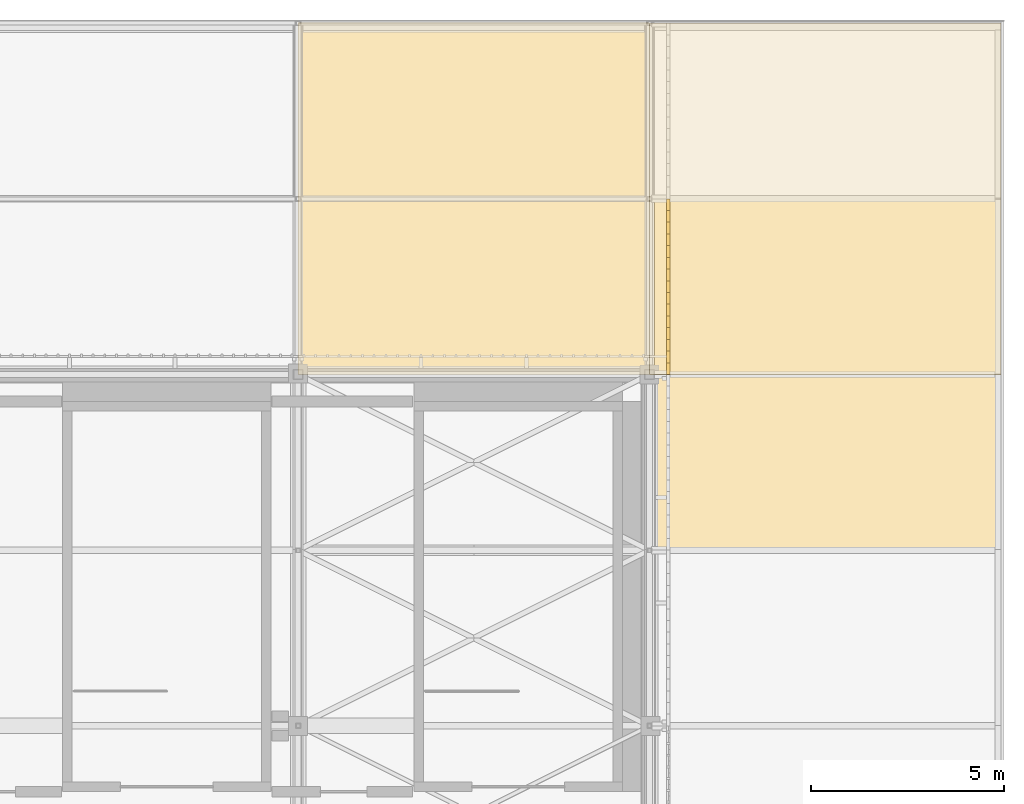
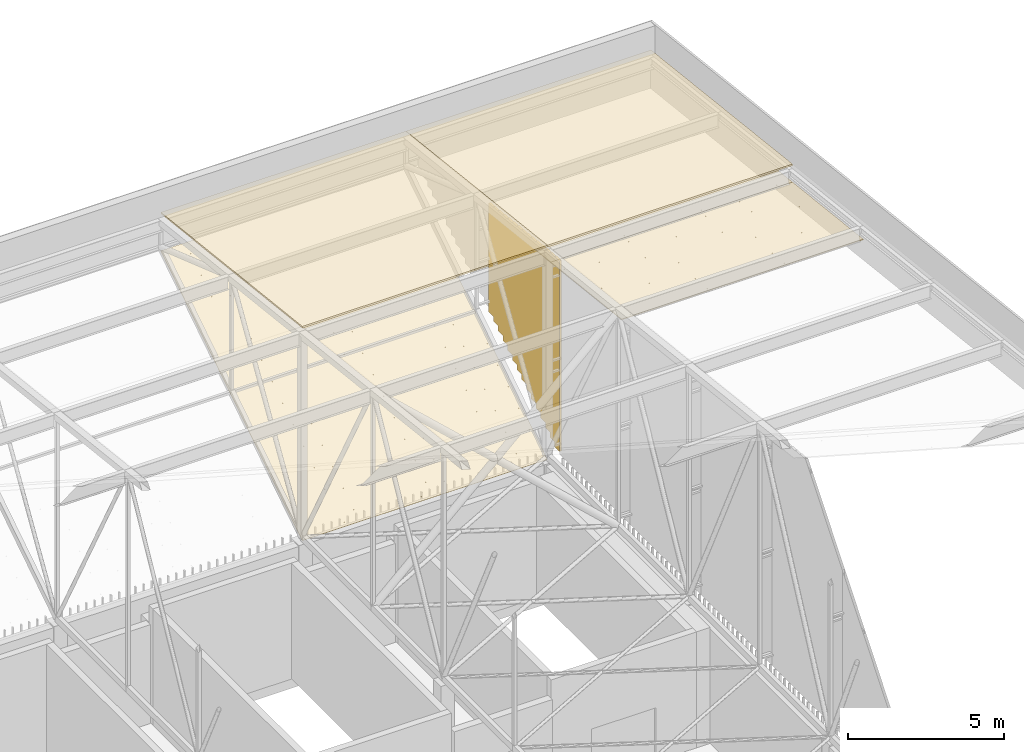
# One storey, part 499 of 500: 5 coverings, 1 shading device.
"""IFC4 building model written with IfcOpenShell, lengths in metres."""

import ifcopenshell
import ifcopenshell.guid

model = None  # the IFC model being written
_history = None  # IfcOwnerHistory: only IFC2X3 demands one
_inside = {}  # id of a spatial element -> (the spatial element, [elements in it])
_under = {}  # id of a project, library or spatial element -> (it, [spatial elements below it])
_declared = {}  # id of a project -> (the project, [libraries it declares])
_typed = {}  # id of a type object -> (the type object, [elements of that type])
_made_of = {}  # id of a material, layer set ... -> (it, [elements and type objects made of it])


def new_model(schema):
    """Start an empty IFC model of exactly this schema.

    Asked for "IFC4X3", IfcOpenShell would pick the latest addendum, in which some entities
    have other attributes; the version numbers below select the first issue.
    IFC2X3 requires an IfcOwnerHistory on every rooted entity: one is made here for all.
    """
    global model, _history
    if schema == "IFC4X3":
        model = ifcopenshell.file(schema_version=(4, 3, 0, 0))
    else:
        model = ifcopenshell.file(schema=schema)
    _inside.clear()
    _under.clear()
    _declared.clear()
    _typed.clear()
    _made_of.clear()
    _history = None
    if model.schema == "IFC2X3":
        org = make("IfcOrganization", Name="unknown")
        user = make(
            "IfcPersonAndOrganization",
            ThePerson=make("IfcPerson", FamilyName="unknown"),
            TheOrganization=org,
        )
        app = make(
            "IfcApplication",
            ApplicationDeveloper=org,
            Version="unknown",
            ApplicationFullName="unknown",
            ApplicationIdentifier="unknown",
        )
        _history = make(
            "IfcOwnerHistory",
            OwningUser=user,
            OwningApplication=app,
            ChangeAction="ADDED",
            CreationDate=0,
        )
    return model


def make(cls, **values):
    """One entity of the class cls with the attributes given. An attribute that is None is left unset."""
    return model.create_entity(
        cls, **{name: value for name, value in values.items() if value is not None}
    )


def rooted(cls, **values):
    """An entity with a GlobalId (a new one), such as an element, a storey or a relation."""
    return make(cls, GlobalId=ifcopenshell.guid.new(), OwnerHistory=_history, **values)


def si_unit(unit_type, name, prefix=None):
    """IfcSIUnit, for example si_unit("LENGTHUNIT", "METRE", prefix="MILLI")."""
    return make("IfcSIUnit", UnitType=unit_type, Prefix=prefix, Name=name)


def assignment(units):
    """IfcUnitAssignment: the units of a project."""
    return None if units is None else make("IfcUnitAssignment", Units=units)


def point(xyz):
    """IfcCartesianPoint."""
    return None if xyz is None else make("IfcCartesianPoint", Coordinates=xyz)


def direction(xyz):
    """IfcDirection."""
    return None if xyz is None else make("IfcDirection", DirectionRatios=xyz)


def frame(location, z_axis=None, x_axis=None):
    """IfcAxis2Placement3D, a coordinate frame: its origin and axes. An axis left out is left unset."""
    return make(
        "IfcAxis2Placement3D",
        Location=point(location),
        Axis=direction(z_axis),
        RefDirection=direction(x_axis),
    )


def frame_2d(location, x_axis=None):
    """IfcAxis2Placement2D, a coordinate frame in the plane: its origin and x axis."""
    return make(
        "IfcAxis2Placement2D", Location=point(location), RefDirection=direction(x_axis)
    )


def origin():
    """The frame at (0, 0, 0) with its axes left unset."""
    return frame((0.0, 0.0, 0.0))


def origin_2d():
    """The frame at (0, 0) in the plane with its x axis left unset."""
    return frame_2d((0.0, 0.0))


def place(relative_to, where):
    """IfcLocalPlacement: puts the frame where relative to a parent placement (None: the world)."""
    return make(
        "IfcLocalPlacement", PlacementRelTo=relative_to, RelativePlacement=where
    )


def context(
    kind, dimensions, precision=None, world=None, true_north=None, identifier=None
):
    """IfcGeometricRepresentationContext, for example the 3D "Model" context."""
    return make(
        "IfcGeometricRepresentationContext",
        ContextIdentifier=identifier,
        ContextType=kind,
        CoordinateSpaceDimension=dimensions,
        Precision=precision,
        WorldCoordinateSystem=world,
        TrueNorth=true_north,
    )


def subcontext(parent, identifier, kind, view, scale=None):
    """IfcGeometricRepresentationSubContext, for example "Body" below "Model"."""
    return make(
        "IfcGeometricRepresentationSubContext",
        ContextIdentifier=identifier,
        ContextType=kind,
        ParentContext=parent,
        TargetScale=scale,
        TargetView=view,
    )


def project(units=None, contexts=None):
    """IfcProject with its units and contexts."""
    return rooted(
        "IfcProject",
        Name="project",
        RepresentationContexts=contexts,
        UnitsInContext=assignment(units),
    )


def spatial(cls, under=None, at=None, **own):
    """A site, building, storey or space (cls), placed at a placement, below another one or the project."""
    s = rooted(cls, ObjectPlacement=at, **own)
    if under is not None:
        _under.setdefault(under.id(), (under, []))[1].append(s)
    return s


def polyline(points):
    """IfcPolyline through the points."""
    return make("IfcPolyline", Points=[point(p) for p in points])


def profile(cls, at=None, kind="AREA", **sizes):
    """A parametric profile (cls). Its sizes go by their IFC names, for example OverallWidth=200.0."""
    return make(cls, ProfileType=kind, Position=at, **sizes)


def rectangle(**sizes):
    """IfcRectangleProfileDef."""
    return profile("IfcRectangleProfileDef", **sizes)


def outline(outer, holes=None, kind="AREA"):
    """IfcArbitraryClosedProfileDef: a profile drawn as a closed curve; with holes, ...WithVoids."""
    if holes is None:
        return make("IfcArbitraryClosedProfileDef", ProfileType=kind, OuterCurve=outer)
    return make(
        "IfcArbitraryProfileDefWithVoids",
        ProfileType=kind,
        OuterCurve=outer,
        InnerCurves=holes,
    )


def extrude(swept, where, along, depth):
    """IfcExtrudedAreaSolid: the profile swept, set in the frame where, extruded along a direction by depth."""
    return make(
        "IfcExtrudedAreaSolid",
        SweptArea=swept,
        Position=where,
        ExtrudedDirection=direction(along),
        Depth=depth,
    )


def shape(context_of_items, identifier, shape_type, items):
    """IfcShapeRepresentation: the items that make up one representation, for example the "Body"."""
    return make(
        "IfcShapeRepresentation",
        ContextOfItems=context_of_items,
        RepresentationIdentifier=identifier,
        RepresentationType=shape_type,
        Items=items,
    )


def material(Name=None, Category=None):
    """IfcMaterial."""
    return make("IfcMaterial", Name=Name, Category=Category)


def layer(
    of_material, thickness, ventilated=None, Name=None, Category=None, Priority=None
):
    """IfcMaterialLayer: one layer of a wall or slab, of a material (None: an air gap)."""
    return make(
        "IfcMaterialLayer",
        Material=of_material,
        LayerThickness=thickness,
        IsVentilated=ventilated,
        Name=Name,
        Category=Category,
        Priority=Priority,
    )


def layer_set(layers, Name=None):
    """IfcMaterialLayerSet."""
    return make("IfcMaterialLayerSet", MaterialLayers=layers, LayerSetName=Name)


def made_of(thing, what):
    """Note that an element or type object is made of a material, layer set ...; save() writes the relation."""
    if what is not None:
        _made_of.setdefault(what.id(), (what, []))[1].append(thing)
    return thing


def type_object(cls, material=None, **own):
    """A type object (cls), such as IfcWallType, which elements share."""
    return made_of(rooted(cls, **own), material)


def element(
    cls,
    number,
    at=None,
    inside=None,
    cuts=None,
    type_object=None,
    material=None,
    context=None,
    identifier="Body",
    shape_type=None,
    held_by="IfcProductDefinitionShape",
    body=None,
    shapes=None,
    **own,
):
    """One element of the class cls, such as IfcWall. Its Tag is "e" and its number.

    at: its placement. inside: the storey or other place that contains it. cuts: it is an
    opening in that element (IfcRelVoidsElement). A single representation is given by context,
    identifier, shape_type and body (its items); several are given by shapes. held_by: the class
    of the entity that holds the representations. save() writes the other relations.
    """
    e = rooted(cls, Tag="e%d" % number, ObjectPlacement=at, **own)
    if body is not None:
        shapes = [shape(context, identifier, shape_type, body)]
    if shapes is not None:
        e.Representation = make(held_by, Representations=shapes)
    if inside is not None:
        _inside.setdefault(inside.id(), (inside, []))[1].append(e)
    if cuts is not None:
        rooted(
            "IfcRelVoidsElement", RelatingBuildingElement=cuts, RelatedOpeningElement=e
        )
    if type_object is not None:
        _typed.setdefault(type_object.id(), (type_object, []))[1].append(e)
    return made_of(e, material)


def aggregate(whole, parts):
    """IfcRelAggregates: a whole, such as a stair, and the parts it consists of."""
    return rooted("IfcRelAggregates", RelatingObject=whole, RelatedObjects=parts)


def save(model, path):
    """Write the relations noted so far, then the file.

    IfcRelAggregates (storeys below a building ...), IfcRelContainedInSpatialStructure (elements
    in a storey), IfcRelDefinesByType, IfcRelAssociatesMaterial and IfcRelDeclares: one each for
    every whole, place, type object, material and project.
    """
    for whole, parts in _under.values():
        aggregate(whole, parts)
    for where, things in _inside.values():
        rooted(
            "IfcRelContainedInSpatialStructure",
            RelatedElements=things,
            RelatingStructure=where,
        )
    for kind, things in _typed.values():
        rooted("IfcRelDefinesByType", RelatedObjects=things, RelatingType=kind)
    for what, things in _made_of.values():
        rooted("IfcRelAssociatesMaterial", RelatedObjects=things, RelatingMaterial=what)
    for by, libraries in _declared.values():
        rooted("IfcRelDeclares", RelatingContext=by, RelatedDefinitions=libraries)
    model.write(path)


model = new_model("IFC4")

# Units and contexts
model_context = context("Model", 3, precision=1e-05, world=origin(), true_north=direction((0.0, 1.0)))
body_context = subcontext(model_context, "Body", "Model", "MODEL_VIEW")
ifc_project = project(units=[si_unit("LENGTHUNIT", "METRE"), si_unit("AREAUNIT", "SQUARE_METRE"), si_unit("VOLUMEUNIT", "CUBIC_METRE"), si_unit("PLANEANGLEUNIT", "RADIAN"), si_unit("MASSUNIT", "GRAM", prefix="KILO")], contexts=[model_context])

# Site, building, storey
site_placement = place(None, origin())
site = spatial("IfcSite", under=ifc_project, at=site_placement, CompositionType="ELEMENT")
building_placement = place(site_placement, origin())
building = spatial("IfcBuilding", under=site, at=building_placement, Name="Shirokan Park Arena", CompositionType="ELEMENT")
storey_placement = place(building_placement, frame((0.0, 0.0, 29.1201171875)))
storey = spatial("IfcBuildingStorey", under=building, at=storey_placement, Name="L06", CompositionType="ELEMENT", Elevation=29.1201171875)

# Coverings
ifc_material_1 = material(Name="Bituminous roofing membrane")
ifc_layer_1 = layer(ifc_material_1, 0.010009765625, Name="Bituminous roofing membrane")
ifc_material_2 = material(Name="Mineral wool insulation")
ifc_layer_2 = layer(ifc_material_2, 0.050048828125, Name="Mineral wool insulation")
ifc_layer_set_1 = layer_set([ifc_layer_1, ifc_layer_2], Name="Bituminous roofing membrane + Mineral wool insulation")
covering_type_1 = type_object("IfcCoveringType", Name="Roofing membrane 60", PredefinedType="ROOFING", material=ifc_layer_set_1)
covering_1_placement = place(storey_placement, frame((136.5, 109.199951171875, 12.9306640625), z_axis=(0.0, 0.113549598152, 0.993532328996), x_axis=(1.0, 0.0, 0.0)))
element("IfcCovering", 1, at=covering_1_placement, inside=storey, type_object=covering_type_1, Name="Roofing", PredefinedType="ROOFING", context=body_context, shape_type="SweptSolid", body=[
    extrude(outline(polyline([(0.0, 0.0), (9.10009765625, 0.0), (9.10009765625, 9.15933723611117), (0.0, 9.15933723611117), (0.0, 0.0)])), origin(), (0.0, 0.0, -1.0), 0.06005859375),
])
covering_2_placement = place(storey_placement, frame((145.60009765625, 109.199951171875, 12.9306640625), z_axis=(0.0, 0.113549598152, 0.993532328996), x_axis=(1.0, 0.0, 0.0)))
element("IfcCovering", 2, at=covering_2_placement, inside=storey, type_object=covering_type_1, Name="Roofing", PredefinedType="ROOFING", context=body_context, shape_type="SweptSolid", body=[
    extrude(outline(polyline([(0.0, 0.0), (9.099853515625, 0.0), (9.099853515625, 9.15933723611117), (0.0, 9.15933723611117), (0.0, 0.0)])), origin(), (0.0, 0.0, -1.0), 0.06005859375),
])
ifc_material_3 = material(Name="Timber soffit boards (cedar)", Category="wood")
ifc_layer_3 = layer(ifc_material_3, 0.030029296875)
ifc_layer_set_2 = layer_set([ifc_layer_3], Name="Timber soffit boards (cedar) 30 mm")
covering_type_2 = type_object("IfcCoveringType", Name="Timber boarded soffit panel", PredefinedType="CLADDING", material=ifc_layer_set_2)
covering_3_placement = place(storey_placement, origin())
element("IfcCovering", 3, at=covering_3_placement, inside=storey, type_object=covering_type_2, Name="Eave soffit north bay 16", PredefinedType="CLADDING", context=body_context, shape_type="SweptSolid", body=[
    extrude(outline(polyline([(0.0, 0.0), (0.1426933218479331, 0.0), (0.1426933218479331, -9.099999999999996), (0.0, -9.099999999999996), (0.0, 0.0)])), frame((145.60009765625, 109.320068359375, 4.60302734375), z_axis=(0.0, -0.541090493936, 0.840964373426), x_axis=(0.0, -0.840964373426, -0.541090493936)), (0.0, 0.0, -1.0), 0.030029296875),
    extrude(outline(polyline([(0.0, 0.0), (0.1426933218479331, 0.0), (0.1426933218479331, -9.099999999999996), (0.0, -9.099999999999996), (0.0, 0.0)])), frame((136.5, 118.179931640625, 10.3037109375), z_axis=(0.0, -0.541090493936, 0.840964373426), x_axis=(0.0, 0.840964373426, 0.541090493936)), (0.0, 0.0, -1.0), 0.030029296875),
    extrude(outline(polyline([(0.0, 0.0), (0.12000000000000455, 0.0), (0.12000000000000455, -10.535473996759716), (0.0, -10.535473996759716), (0.0, 0.0)])), frame((145.60009765625, 109.320068359375, 4.60302734375), z_axis=(0.0, -0.541084340558, 0.84096833258), x_axis=(-1.0, 0.0, 0.0)), (0.0, 0.0, -1.0), 0.030029296875),
    extrude(outline(polyline([(0.0, 0.0), (0.12000000000000455, 0.0), (0.12000000000000455, -10.535473996759716), (0.0, -10.535473996759716), (0.0, 0.0)])), frame((136.5, 118.179931640625, 10.3037109375), z_axis=(0.0, -0.541084340558, 0.84096833258), x_axis=(1.0, 0.0, 0.0)), (0.0, 0.0, -1.0), 0.030029296875),
    extrude(outline(polyline([(0.0, 0.0), (10.535473996759718, 0.0), (10.535473996759718, -0.18332999999998378), (0.0, -0.18332999999998378), (0.0, 0.0)])), frame((136.80322265625, 118.179931640625, 10.3037109375), z_axis=(0.0, -0.541084340558, 0.84096833258), x_axis=(0.0, -0.84096833258, -0.541084340558)), (0.0, 0.0, -1.0), 0.030029296875),
    extrude(outline(polyline([(0.0, 0.0), (10.535473996759718, 0.0), (10.535473996759718, -0.3033400000000199), (0.0, -0.3033400000000199), (0.0, 0.0)])), frame((137.106689453125, 118.179931640625, 10.3037109375), z_axis=(0.0, -0.541084340558, 0.84096833258), x_axis=(0.0, -0.84096833258, -0.541084340558)), (0.0, 0.0, -1.0), 0.030029296875),
    extrude(outline(polyline([(0.0, 0.0), (10.535473996759718, 0.0), (10.535473996759718, -0.30332999999998833), (0.0, -0.30332999999998833), (0.0, 0.0)])), frame((137.409912109375, 118.179931640625, 10.3037109375), z_axis=(0.0, -0.541084340558, 0.84096833258), x_axis=(0.0, -0.84096833258, -0.541084340558)), (0.0, 0.0, -1.0), 0.030029296875),
    extrude(outline(polyline([(0.0, 0.0), (10.535473996759716, 0.0), (10.535473996759716, -0.30333000000001675), (0.0, -0.30333000000001675), (0.0, 0.0)])), frame((137.71337890625, 118.179931640625, 10.3037109375), z_axis=(0.0, -0.541084340558, 0.84096833258), x_axis=(0.0, -0.84096833258, -0.541084340558)), (0.0, 0.0, -1.0), 0.030029296875),
    extrude(outline(polyline([(0.0, 0.0), (10.53547399675972, 0.0), (10.53547399675972, -0.30333999999999156), (0.0, -0.30333999999999156), (0.0, 0.0)])), frame((138.0166015625, 118.179931640625, 10.3037109375), z_axis=(0.0, -0.541084340558, 0.84096833258), x_axis=(0.0, -0.84096833258, -0.541084340558)), (0.0, 0.0, -1.0), 0.030029296875),
    extrude(outline(polyline([(0.0, 0.0), (10.535473996759718, 0.0), (10.535473996759718, -0.30332999999998833), (0.0, -0.30332999999998833), (0.0, 0.0)])), frame((138.320068359375, 118.179931640625, 10.3037109375), z_axis=(0.0, -0.541084340558, 0.84096833258), x_axis=(0.0, -0.84096833258, -0.541084340558)), (0.0, 0.0, -1.0), 0.030029296875),
    extrude(outline(polyline([(0.0, 0.0), (10.53547399675972, 0.0), (10.53547399675972, -0.30333000000001675), (0.0, -0.30333000000001675), (0.0, 0.0)])), frame((138.623291015625, 118.179931640625, 10.3037109375), z_axis=(0.0, -0.541084340558, 0.84096833258), x_axis=(0.0, -0.84096833258, -0.541084340558)), (0.0, 0.0, -1.0), 0.030029296875),
    extrude(outline(polyline([(0.0, 0.0), (10.53547399675972, 0.0), (10.53547399675972, -0.30333999999999156), (0.0, -0.30333999999999156), (0.0, 0.0)])), frame((138.9267578125, 118.179931640625, 10.3037109375), z_axis=(0.0, -0.541084340558, 0.84096833258), x_axis=(0.0, -0.84096833258, -0.541084340558)), (0.0, 0.0, -1.0), 0.030029296875),
    extrude(outline(polyline([(0.0, 0.0), (10.535473996759718, 0.0), (10.535473996759718, -0.30332999999998833), (0.0, -0.30332999999998833), (0.0, 0.0)])), frame((139.22998046875, 118.179931640625, 10.3037109375), z_axis=(0.0, -0.541084340558, 0.84096833258), x_axis=(0.0, -0.84096833258, -0.541084340558)), (0.0, 0.0, -1.0), 0.030029296875),
    extrude(outline(polyline([(0.0, 0.0), (10.53547399675972, 0.0), (10.53547399675972, -0.30333000000001675), (0.0, -0.30333000000001675), (0.0, 0.0)])), frame((139.533447265625, 118.179931640625, 10.3037109375), z_axis=(0.0, -0.541084340558, 0.84096833258), x_axis=(0.0, -0.84096833258, -0.541084340558)), (0.0, 0.0, -1.0), 0.030029296875),
    extrude(outline(polyline([(0.0, 0.0), (10.53547399675972, 0.0), (10.53547399675972, -0.3033399999999915), (0.0, -0.3033399999999915), (0.0, 0.0)])), frame((139.836669921875, 118.179931640625, 10.3037109375), z_axis=(0.0, -0.541084340558, 0.84096833258), x_axis=(0.0, -0.84096833258, -0.541084340558)), (0.0, 0.0, -1.0), 0.030029296875),
    extrude(outline(polyline([(0.0, 0.0), (10.535473996759718, 0.0), (10.535473996759718, -0.30332999999998833), (0.0, -0.30332999999998833), (0.0, 0.0)])), frame((140.139892578125, 118.179931640625, 10.3037109375), z_axis=(0.0, -0.541084340558, 0.84096833258), x_axis=(0.0, -0.84096833258, -0.541084340558)), (0.0, 0.0, -1.0), 0.030029296875),
    extrude(outline(polyline([(0.0, 0.0), (10.53547399675972, 0.0), (10.53547399675972, -0.30333000000001675), (0.0, -0.30333000000001675), (0.0, 0.0)])), frame((140.443359375, 118.179931640625, 10.3037109375), z_axis=(0.0, -0.541084340558, 0.84096833258), x_axis=(0.0, -0.84096833258, -0.541084340558)), (0.0, 0.0, -1.0), 0.030029296875),
    extrude(outline(polyline([(0.0, 0.0), (10.53547399675972, 0.0), (10.53547399675972, -0.3033399999999915), (0.0, -0.3033399999999915), (0.0, 0.0)])), frame((140.74658203125, 118.179931640625, 10.3037109375), z_axis=(0.0, -0.541084340558, 0.84096833258), x_axis=(0.0, -0.84096833258, -0.541084340558)), (0.0, 0.0, -1.0), 0.030029296875),
    extrude(outline(polyline([(0.0, 0.0), (10.53547399675972, 0.0), (10.53547399675972, -0.30333000000001675), (0.0, -0.30333000000001675), (0.0, 0.0)])), frame((141.050048828125, 118.179931640625, 10.3037109375), z_axis=(0.0, -0.541084340558, 0.84096833258), x_axis=(0.0, -0.84096833258, -0.541084340558)), (0.0, 0.0, -1.0), 0.030029296875),
    extrude(outline(polyline([(0.0, 0.0), (10.535473996759718, 0.0), (10.535473996759718, -0.30332999999998833), (0.0, -0.30332999999998833), (0.0, 0.0)])), frame((141.353271484375, 118.179931640625, 10.3037109375), z_axis=(0.0, -0.541084340558, 0.84096833258), x_axis=(0.0, -0.84096833258, -0.541084340558)), (0.0, 0.0, -1.0), 0.030029296875),
    extrude(outline(polyline([(0.0, 0.0), (10.53547399675972, 0.0), (10.53547399675972, -0.3033399999999915), (0.0, -0.3033399999999915), (0.0, 0.0)])), frame((141.65673828125, 118.179931640625, 10.3037109375), z_axis=(0.0, -0.541084340558, 0.84096833258), x_axis=(0.0, -0.84096833258, -0.541084340558)), (0.0, 0.0, -1.0), 0.030029296875),
    extrude(outline(polyline([(0.0, 0.0), (10.53547399675972, 0.0), (10.53547399675972, -0.30333000000001675), (0.0, -0.30333000000001675), (0.0, 0.0)])), frame((141.9599609375, 118.179931640625, 10.3037109375), z_axis=(0.0, -0.541084340558, 0.84096833258), x_axis=(0.0, -0.84096833258, -0.541084340558)), (0.0, 0.0, -1.0), 0.030029296875),
    extrude(outline(polyline([(0.0, 0.0), (10.535473996759718, 0.0), (10.535473996759718, -0.30332999999998833), (0.0, -0.30332999999998833), (0.0, 0.0)])), frame((142.263427734375, 118.179931640625, 10.3037109375), z_axis=(0.0, -0.541084340558, 0.84096833258), x_axis=(0.0, -0.84096833258, -0.541084340558)), (0.0, 0.0, -1.0), 0.030029296875),
    extrude(outline(polyline([(0.0, 0.0), (10.53547399675972, 0.0), (10.53547399675972, -0.3033399999999915), (0.0, -0.3033399999999915), (0.0, 0.0)])), frame((142.566650390625, 118.179931640625, 10.3037109375), z_axis=(0.0, -0.541084340558, 0.84096833258), x_axis=(0.0, -0.84096833258, -0.541084340558)), (0.0, 0.0, -1.0), 0.030029296875),
    extrude(outline(polyline([(0.0, 0.0), (10.53547399675972, 0.0), (10.53547399675972, -0.30333000000001675), (0.0, -0.30333000000001675), (0.0, 0.0)])), frame((142.8701171875, 118.179931640625, 10.3037109375), z_axis=(0.0, -0.541084340558, 0.84096833258), x_axis=(0.0, -0.84096833258, -0.541084340558)), (0.0, 0.0, -1.0), 0.030029296875),
    extrude(outline(polyline([(0.0, 0.0), (10.535473996759718, 0.0), (10.535473996759718, -0.30332999999998833), (0.0, -0.30332999999998833), (0.0, 0.0)])), frame((143.17333984375, 118.179931640625, 10.3037109375), z_axis=(0.0, -0.541084340558, 0.84096833258), x_axis=(0.0, -0.84096833258, -0.541084340558)), (0.0, 0.0, -1.0), 0.030029296875),
    extrude(outline(polyline([(0.0, 0.0), (10.535473996759718, 0.0), (10.535473996759718, -0.3033400000000199), (0.0, -0.3033400000000199), (0.0, 0.0)])), frame((143.4765625, 118.179931640625, 10.3037109375), z_axis=(0.0, -0.541084340558, 0.84096833258), x_axis=(0.0, -0.84096833258, -0.541084340558)), (0.0, 0.0, -1.0), 0.030029296875),
    extrude(outline(polyline([(0.0, 0.0), (10.535473996759718, 0.0), (10.535473996759718, -0.30332999999998833), (0.0, -0.30332999999998833), (0.0, 0.0)])), frame((143.780029296875, 118.179931640625, 10.3037109375), z_axis=(0.0, -0.541084340558, 0.84096833258), x_axis=(0.0, -0.84096833258, -0.541084340558)), (0.0, 0.0, -1.0), 0.030029296875),
    extrude(outline(polyline([(0.0, 0.0), (10.535473996759718, 0.0), (10.535473996759718, -0.30332999999998833), (0.0, -0.30332999999998833), (0.0, 0.0)])), frame((144.083251953125, 118.179931640625, 10.3037109375), z_axis=(0.0, -0.541084340558, 0.84096833258), x_axis=(0.0, -0.84096833258, -0.541084340558)), (0.0, 0.0, -1.0), 0.030029296875),
    extrude(outline(polyline([(0.0, 0.0), (10.535473996759718, 0.0), (10.535473996759718, -0.3033400000000199), (0.0, -0.3033400000000199), (0.0, 0.0)])), frame((144.38671875, 118.179931640625, 10.3037109375), z_axis=(0.0, -0.541084340558, 0.84096833258), x_axis=(0.0, -0.84096833258, -0.541084340558)), (0.0, 0.0, -1.0), 0.030029296875),
    extrude(outline(polyline([(0.0, 0.0), (10.535473996759718, 0.0), (10.535473996759718, -0.30332999999998833), (0.0, -0.30332999999998833), (0.0, 0.0)])), frame((144.68994140625, 118.179931640625, 10.3037109375), z_axis=(0.0, -0.541084340558, 0.84096833258), x_axis=(0.0, -0.84096833258, -0.541084340558)), (0.0, 0.0, -1.0), 0.030029296875),
    extrude(outline(polyline([(0.0, 0.0), (10.535473996759718, 0.0), (10.535473996759718, -0.30332999999998833), (0.0, -0.30332999999998833), (0.0, 0.0)])), frame((144.993408203125, 118.179931640625, 10.3037109375), z_axis=(0.0, -0.541084340558, 0.84096833258), x_axis=(0.0, -0.84096833258, -0.541084340558)), (0.0, 0.0, -1.0), 0.030029296875),
    extrude(outline(polyline([(0.0, 0.0), (10.535473996759718, 0.0), (10.535473996759718, -0.3033400000000199), (0.0, -0.3033400000000199), (0.0, 0.0)])), frame((145.296630859375, 118.179931640625, 10.3037109375), z_axis=(0.0, -0.541084340558, 0.84096833258), x_axis=(0.0, -0.84096833258, -0.541084340558)), (0.0, 0.0, -1.0), 0.030029296875),
    extrude(outline(polyline([(0.0, 0.0), (10.535473996759718, 0.0), (10.535473996759718, -0.18332999999998378), (0.0, -0.18332999999998378), (0.0, 0.0)])), frame((145.47998046875, 118.179931640625, 10.3037109375), z_axis=(0.0, -0.541084340558, 0.84096833258), x_axis=(0.0, -0.84096833258, -0.541084340558)), (0.0, 0.0, -1.0), 0.030029296875),
])
covering_4_placement = place(storey_placement, origin())
element("IfcCovering", 4, at=covering_4_placement, inside=storey, type_object=covering_type_2, Name="Rake soffit east bay 26", PredefinedType="CLADDING", context=body_context, shape_type="SweptSolid", body=[
    extrude(outline(polyline([(0.0, 0.0), (0.12000000000000455, 0.0), (0.12000000000000455, -4.579617887990218), (0.0, -4.579617887990218), (0.0, 0.0)])), frame((145.846923828125, 104.64990234375, 12.741943359375), z_axis=(0.0, 0.113546591161, 0.993532672656), x_axis=(-1.0, 0.0, 0.0)), (0.0, 0.0, -1.0), 0.030029296875),
    extrude(outline(polyline([(0.0, 0.0), (0.11999999999997613, 0.0), (0.11999999999997613, -4.579617887990217), (0.0, -4.579617887990217), (0.0, 0.0)])), frame((154.580078125, 109.199951171875, 12.221923828125), z_axis=(0.0, 0.113546591161, 0.993532672656), x_axis=(1.0, 0.0, 0.0)), (0.0, 0.0, -1.0), 0.030029296875),
    extrude(outline(polyline([(0.0, 0.0), (0.12078064455864268, 0.0), (0.12078064455864268, -8.733000000000006), (0.0, -8.733000000000006), (0.0, 0.0)])), frame((154.580078125, 109.199951171875, 12.221923828125), z_axis=(0.0, 0.11351156512, 0.993536675007), x_axis=(0.0, -0.993536675007, 0.11351156512)), (0.0, 0.0, -1.0), 0.030029296875),
    extrude(outline(polyline([(0.0, 0.0), (0.12078064455862855, 0.0), (0.12078064455862855, -8.733000000000006), (0.0, -8.733000000000006), (0.0, 0.0)])), frame((145.846923828125, 104.64990234375, 12.741943359375), z_axis=(0.0, 0.11351156512, 0.993536675007), x_axis=(0.0, 0.993536675007, -0.11351156512)), (0.0, 0.0, -1.0), 0.030029296875),
    extrude(outline(polyline([(0.0, 0.0), (8.733000000000004, 0.0), (8.733000000000004, -0.184524281600008), (0.0, -0.184524281600008), (0.0, 0.0)])), frame((154.580078125, 104.77001953125, 12.728271484375), z_axis=(0.0, 0.113589386818, 0.99352778079), x_axis=(-1.0, 0.0, 0.0)), (0.0, 0.0, -1.0), 0.030029296875),
    extrude(outline(polyline([(0.0, 0.0), (8.733000000000004, 0.0), (8.733000000000004, -0.3053137258624375), (0.0, -0.3053137258624375), (0.0, 0.0)])), frame((154.580078125, 104.953369140625, 12.707275390625), z_axis=(0.0, 0.113522573877, 0.993535417195), x_axis=(-1.0, 0.0, 0.0)), (0.0, 0.0, -1.0), 0.030029296875),
    extrude(outline(polyline([(0.0, 0.0), (8.733000000000004, 0.0), (8.733000000000004, -0.30530492593471437), (0.0, -0.30530492593471437), (0.0, 0.0)])), frame((154.580078125, 105.256591796875, 12.672607421875), z_axis=(0.0, 0.113558600124, 0.99353130013), x_axis=(-1.0, 0.0, 0.0)), (0.0, 0.0, -1.0), 0.030029296875),
    extrude(outline(polyline([(0.0, 0.0), (8.733000000000004, 0.0), (8.733000000000004, -0.3053049259347152), (0.0, -0.3053049259347152), (0.0, 0.0)])), frame((154.580078125, 105.56005859375, 12.637939453125), z_axis=(0.0, 0.113558600124, 0.99353130013), x_axis=(-1.0, 0.0, 0.0)), (0.0, 0.0, -1.0), 0.030029296875),
    extrude(outline(polyline([(0.0, 0.0), (8.733000000000004, 0.0), (8.733000000000004, -0.30531372586242256), (0.0, -0.30531372586242256), (0.0, 0.0)])), frame((154.580078125, 105.86328125, 12.603271484375), z_axis=(0.0, 0.113522573877, 0.993535417195), x_axis=(-1.0, 0.0, 0.0)), (0.0, 0.0, -1.0), 0.030029296875),
    extrude(outline(polyline([(0.0, 0.0), (8.733000000000004, 0.0), (8.733000000000004, -0.30530492593471437), (0.0, -0.30530492593471437), (0.0, 0.0)])), frame((154.580078125, 106.166748046875, 12.568603515625), z_axis=(0.0, 0.113558600124, 0.99353130013), x_axis=(-1.0, 0.0, 0.0)), (0.0, 0.0, -1.0), 0.030029296875),
    extrude(outline(polyline([(0.0, 0.0), (8.733000000000004, 0.0), (8.733000000000004, -0.30530492593471514), (0.0, -0.30530492593471514), (0.0, 0.0)])), frame((154.580078125, 106.469970703125, 12.533935546875), z_axis=(0.0, 0.113558600124, 0.99353130013), x_axis=(-1.0, 0.0, 0.0)), (0.0, 0.0, -1.0), 0.030029296875),
    extrude(outline(polyline([(0.0, 0.0), (8.733000000000004, 0.0), (8.733000000000004, -0.30531372586242256), (0.0, -0.30531372586242256), (0.0, 0.0)])), frame((154.580078125, 106.7734375, 12.499267578125), z_axis=(0.0, 0.113522573877, 0.993535417195), x_axis=(-1.0, 0.0, 0.0)), (0.0, 0.0, -1.0), 0.030029296875),
    extrude(outline(polyline([(0.0, 0.0), (8.733000000000004, 0.0), (8.733000000000004, -0.30530492593471514), (0.0, -0.30530492593471514), (0.0, 0.0)])), frame((154.580078125, 107.07666015625, 12.464599609375), z_axis=(0.0, 0.113558600124, 0.99353130013), x_axis=(-1.0, 0.0, 0.0)), (0.0, 0.0, -1.0), 0.030029296875),
    extrude(outline(polyline([(0.0, 0.0), (8.733000000000004, 0.0), (8.733000000000004, -0.30530492593471437), (0.0, -0.30530492593471437), (0.0, 0.0)])), frame((154.580078125, 107.3798828125, 12.429931640625), z_axis=(0.0, 0.113558600124, 0.99353130013), x_axis=(-1.0, 0.0, 0.0)), (0.0, 0.0, -1.0), 0.030029296875),
    extrude(outline(polyline([(0.0, 0.0), (8.733000000000004, 0.0), (8.733000000000004, -0.30531372586243666), (0.0, -0.30531372586243666), (0.0, 0.0)])), frame((154.580078125, 107.683349609375, 12.395263671875), z_axis=(0.0, 0.113522573877, 0.993535417195), x_axis=(-1.0, 0.0, 0.0)), (0.0, 0.0, -1.0), 0.030029296875),
    extrude(outline(polyline([(0.0, 0.0), (8.733000000000004, 0.0), (8.733000000000004, -0.3053049259347152), (0.0, -0.3053049259347152), (0.0, 0.0)])), frame((154.580078125, 107.986572265625, 12.360595703125), z_axis=(0.0, 0.113558600124, 0.99353130013), x_axis=(-1.0, 0.0, 0.0)), (0.0, 0.0, -1.0), 0.030029296875),
    extrude(outline(polyline([(0.0, 0.0), (8.733000000000004, 0.0), (8.733000000000004, -0.30530492593470027), (0.0, -0.30530492593470027), (0.0, 0.0)])), frame((154.580078125, 108.2900390625, 12.325927734375), z_axis=(0.0, 0.113558600124, 0.99353130013), x_axis=(-1.0, 0.0, 0.0)), (0.0, 0.0, -1.0), 0.030029296875),
    extrude(outline(polyline([(0.0, 0.0), (8.733000000000004, 0.0), (8.733000000000004, -0.3053137258624375), (0.0, -0.3053137258624375), (0.0, 0.0)])), frame((154.580078125, 108.59326171875, 12.291259765625), z_axis=(0.0, 0.113522573877, 0.993535417195), x_axis=(-1.0, 0.0, 0.0)), (0.0, 0.0, -1.0), 0.030029296875),
    extrude(outline(polyline([(0.0, 0.0), (0.18452428160000803, 0.0), (0.18452428160000803, -8.733000000000004), (0.0, -8.733000000000004), (0.0, 0.0)])), frame((154.580078125, 109.080078125, 12.235595703125), z_axis=(0.0, 0.113589386818, 0.99352778079), x_axis=(0.0, -0.99352778079, 0.113589386818)), (0.0, 0.0, -1.0), 0.030029296875),
])
covering_5_placement = place(storey_placement, origin())
element("IfcCovering", 5, at=covering_5_placement, inside=storey, type_object=covering_type_2, Name="Rake soffit east bay 27", PredefinedType="CLADDING", context=body_context, shape_type="SweptSolid", body=[
    extrude(outline(polyline([(0.0, 0.0), (0.12000000000000455, 0.0), (0.12000000000000455, -4.579617887990217), (0.0, -4.579617887990217), (0.0, 0.0)])), frame((145.846923828125, 109.199951171875, 12.221923828125), z_axis=(0.0, 0.113546591161, 0.993532672656), x_axis=(-1.0, 0.0, 0.0)), (0.0, 0.0, -1.0), 0.030029296875),
    extrude(outline(polyline([(0.0, 0.0), (0.11999999999997613, 0.0), (0.11999999999997613, -4.579617887990216), (0.0, -4.579617887990216), (0.0, 0.0)])), frame((154.580078125, 113.75, 11.701904296875), z_axis=(0.0, 0.113546591161, 0.993532672656), x_axis=(1.0, 0.0, 0.0)), (0.0, 0.0, -1.0), 0.030029296875),
    extrude(outline(polyline([(0.0, 0.0), (0.12078064455864188, 0.0), (0.12078064455864188, -8.733000000000004), (0.0, -8.733000000000004), (0.0, 0.0)])), frame((154.580078125, 113.75, 11.701904296875), z_axis=(0.0, 0.11351156512, 0.993536675007), x_axis=(0.0, -0.993536675007, 0.11351156512)), (0.0, 0.0, -1.0), 0.030029296875),
    extrude(outline(polyline([(0.0, 0.0), (0.12078064455862775, 0.0), (0.12078064455862775, -8.733000000000004), (0.0, -8.733000000000004), (0.0, 0.0)])), frame((145.846923828125, 109.199951171875, 12.221923828125), z_axis=(0.0, 0.11351156512, 0.993536675007), x_axis=(0.0, 0.993536675007, -0.11351156512)), (0.0, 0.0, -1.0), 0.030029296875),
    extrude(outline(polyline([(0.0, 0.0), (8.733000000000004, 0.0), (8.733000000000004, -0.18452428160002296), (0.0, -0.18452428160002296), (0.0, 0.0)])), frame((154.580078125, 109.320068359375, 12.208251953125), z_axis=(0.0, 0.113589386818, 0.99352778079), x_axis=(-1.0, 0.0, 0.0)), (0.0, 0.0, -1.0), 0.030029296875),
    extrude(outline(polyline([(0.0, 0.0), (8.733000000000004, 0.0), (8.733000000000004, -0.30531372586242334), (0.0, -0.30531372586242334), (0.0, 0.0)])), frame((154.580078125, 109.50341796875, 12.187255859375), z_axis=(0.0, 0.113522573877, 0.993535417195), x_axis=(-1.0, 0.0, 0.0)), (0.0, 0.0, -1.0), 0.030029296875),
    extrude(outline(polyline([(0.0, 0.0), (8.733000000000004, 0.0), (8.733000000000004, -0.30530492593471437), (0.0, -0.30530492593471437), (0.0, 0.0)])), frame((154.580078125, 109.806640625, 12.152587890625), z_axis=(0.0, 0.113558600124, 0.99353130013), x_axis=(-1.0, 0.0, 0.0)), (0.0, 0.0, -1.0), 0.030029296875),
    extrude(outline(polyline([(0.0, 0.0), (8.733000000000004, 0.0), (8.733000000000004, -0.30530492593471437), (0.0, -0.30530492593471437), (0.0, 0.0)])), frame((154.580078125, 110.110107421875, 12.117919921875), z_axis=(0.0, 0.113558600124, 0.99353130013), x_axis=(-1.0, 0.0, 0.0)), (0.0, 0.0, -1.0), 0.030029296875),
    extrude(outline(polyline([(0.0, 0.0), (8.733000000000004, 0.0), (8.733000000000004, -0.3053137258624234), (0.0, -0.3053137258624234), (0.0, 0.0)])), frame((154.580078125, 110.413330078125, 12.083251953125), z_axis=(0.0, 0.113522573877, 0.993535417195), x_axis=(-1.0, 0.0, 0.0)), (0.0, 0.0, -1.0), 0.030029296875),
    extrude(outline(polyline([(0.0, 0.0), (8.733000000000004, 0.0), (8.733000000000004, -0.30530492593471437), (0.0, -0.30530492593471437), (0.0, 0.0)])), frame((154.580078125, 110.716552734375, 12.048583984375), z_axis=(0.0, 0.113558600124, 0.99353130013), x_axis=(-1.0, 0.0, 0.0)), (0.0, 0.0, -1.0), 0.030029296875),
    extrude(outline(polyline([(0.0, 0.0), (8.733000000000004, 0.0), (8.733000000000004, -0.30530492593471437), (0.0, -0.30530492593471437), (0.0, 0.0)])), frame((154.580078125, 111.02001953125, 12.013916015625), z_axis=(0.0, 0.113558600124, 0.99353130013), x_axis=(-1.0, 0.0, 0.0)), (0.0, 0.0, -1.0), 0.030029296875),
    extrude(outline(polyline([(0.0, 0.0), (8.733000000000004, 0.0), (8.733000000000004, -0.3053137258624375), (0.0, -0.3053137258624375), (0.0, 0.0)])), frame((154.580078125, 111.3232421875, 11.979248046875), z_axis=(0.0, 0.113522573877, 0.993535417195), x_axis=(-1.0, 0.0, 0.0)), (0.0, 0.0, -1.0), 0.030029296875),
    extrude(outline(polyline([(0.0, 0.0), (8.733000000000004, 0.0), (8.733000000000004, -0.30530492593471437), (0.0, -0.30530492593471437), (0.0, 0.0)])), frame((154.580078125, 111.626708984375, 11.944580078125), z_axis=(0.0, 0.113558600124, 0.99353130013), x_axis=(-1.0, 0.0, 0.0)), (0.0, 0.0, -1.0), 0.030029296875),
    extrude(outline(polyline([(0.0, 0.0), (8.733000000000004, 0.0), (8.733000000000004, -0.30530492593470027), (0.0, -0.30530492593470027), (0.0, 0.0)])), frame((154.580078125, 111.929931640625, 11.909912109375), z_axis=(0.0, 0.113558600124, 0.99353130013), x_axis=(-1.0, 0.0, 0.0)), (0.0, 0.0, -1.0), 0.030029296875),
    extrude(outline(polyline([(0.0, 0.0), (8.733000000000004, 0.0), (8.733000000000004, -0.3053137258624375), (0.0, -0.3053137258624375), (0.0, 0.0)])), frame((154.580078125, 112.2333984375, 11.875244140625), z_axis=(0.0, 0.113522573877, 0.993535417195), x_axis=(-1.0, 0.0, 0.0)), (0.0, 0.0, -1.0), 0.030029296875),
    extrude(outline(polyline([(0.0, 0.0), (8.733000000000004, 0.0), (8.733000000000004, -0.30530492593471437), (0.0, -0.30530492593471437), (0.0, 0.0)])), frame((154.580078125, 112.53662109375, 11.840576171875), z_axis=(0.0, 0.113558600124, 0.99353130013), x_axis=(-1.0, 0.0, 0.0)), (0.0, 0.0, -1.0), 0.030029296875),
    extrude(outline(polyline([(0.0, 0.0), (8.733000000000004, 0.0), (8.733000000000004, -0.30530492593471437), (0.0, -0.30530492593471437), (0.0, 0.0)])), frame((154.580078125, 112.840087890625, 11.805908203125), z_axis=(0.0, 0.113558600124, 0.99353130013), x_axis=(-1.0, 0.0, 0.0)), (0.0, 0.0, -1.0), 0.030029296875),
    extrude(outline(polyline([(0.0, 0.0), (8.733000000000004, 0.0), (8.733000000000004, -0.30531372586242334), (0.0, -0.30531372586242334), (0.0, 0.0)])), frame((154.580078125, 113.143310546875, 11.771240234375), z_axis=(0.0, 0.113522573877, 0.993535417195), x_axis=(-1.0, 0.0, 0.0)), (0.0, 0.0, -1.0), 0.030029296875),
    extrude(outline(polyline([(0.0, 0.0), (0.18452428160000886, 0.0), (0.18452428160000886, -8.733000000000004), (0.0, -8.733000000000004), (0.0, 0.0)])), frame((154.580078125, 113.6298828125, 11.715576171875), z_axis=(0.0, 0.113589386818, 0.99352778079), x_axis=(0.0, -0.99352778079, 0.113589386818)), (0.0, 0.0, -1.0), 0.030029296875),
])

# Shading device
ifc_material_4 = material(Name="Timber louvre veil (cedar)", Category="wood")
shading_device_type = type_object("IfcShadingDeviceType", Name="Timber louvre veil panel, gable band, closed", PredefinedType="JALOUSIE", material=ifc_material_4)
shading_device_placement = place(storey_placement, origin())
element("IfcShadingDevice", 6, at=shading_device_placement, inside=storey, type_object=shading_device_type, Name="Timber louvre veil gable band east bay 27", PredefinedType="JALOUSIE", context=body_context, shape_type="SweptSolid", body=[
    extrude(outline(polyline([(109.199951171875, 12.1572265625), (109.199951171875, 4.67333984375), (109.50341796875, 4.67333984375), (109.50341796875, 4.86865234375), (109.806640625, 4.86865234375), (109.806640625, 5.063720703125), (110.110107421875, 5.063720703125), (110.110107421875, 5.259033203125), (110.413330078125, 5.259033203125), (110.413330078125, 5.4541015625), (110.716552734375, 5.4541015625), (110.716552734375, 5.649169921875), (111.02001953125, 5.649169921875), (111.02001953125, 5.844482421875), (111.3232421875, 5.844482421875), (111.3232421875, 6.03955078125), (111.626708984375, 6.03955078125), (111.626708984375, 6.23486328125), (111.929931640625, 6.23486328125), (111.929931640625, 6.429931640625), (112.2333984375, 6.429931640625), (112.2333984375, 6.625), (112.53662109375, 6.625), (112.53662109375, 6.8203125), (112.840087890625, 6.8203125), (112.840087890625, 7.015380859375), (113.143310546875, 7.015380859375), (113.143310546875, 7.210693359375), (113.44677734375, 7.210693359375), (113.44677734375, 7.40576171875), (113.75, 7.40576171875), (113.75, 11.671875), (113.44677734375, 11.671875), (113.44677734375, 11.70654296875), (113.143310546875, 11.70654296875), (113.143310546875, 11.7412109375), (112.840087890625, 11.7412109375), (112.840087890625, 11.77587890625), (112.53662109375, 11.77587890625), (112.53662109375, 11.810546875), (112.2333984375, 11.810546875), (112.2333984375, 11.84521484375), (111.929931640625, 11.84521484375), (111.929931640625, 11.8798828125), (111.626708984375, 11.8798828125), (111.626708984375, 11.91455078125), (111.3232421875, 11.91455078125), (111.3232421875, 11.94921875), (111.02001953125, 11.94921875), (111.02001953125, 11.98388671875), (110.716552734375, 11.98388671875), (110.716552734375, 12.0185546875), (110.413330078125, 12.0185546875), (110.413330078125, 12.05322265625), (110.110107421875, 12.05322265625), (110.110107421875, 12.087890625), (109.806640625, 12.087890625), (109.806640625, 12.12255859375), (109.50341796875, 12.12255859375), (109.50341796875, 12.1572265625), (109.199951171875, 12.1572265625)])), frame((146.044921875, 0.0, 0.0), z_axis=(1.0, 0.0, 0.0), x_axis=(0.0, 1.0, 0.0)), (0.0, 0.0, 1.0), 0.080078125),
    extrude(rectangle(XDim=0.050048828125, YDim=4.550048828125, at=origin_2d()), frame((146.070068359375, 111.47509765625, 7.815673828125), z_axis=(0.0, 0.0, 1.0), x_axis=(1.0, 0.0, 0.0)), (0.0, 0.0, 1.0), 0.080078125),
    extrude(rectangle(XDim=0.050048828125, YDim=4.550048828125, at=origin_2d()), frame((146.070068359375, 111.47509765625, 9.498779296875), z_axis=(0.0, 0.0, 1.0), x_axis=(1.0, 0.0, 0.0)), (0.0, 0.0, 1.0), 0.080078125),
    extrude(rectangle(XDim=0.050048828125, YDim=4.550048828125, at=origin_2d()), frame((146.070068359375, 111.47509765625, 11.53173828125), z_axis=(0.0, 0.0, 1.0), x_axis=(1.0, 0.0, 0.0)), (0.0, 0.0, 1.0), 0.080078125),
])

save(model, "model.ifc")
